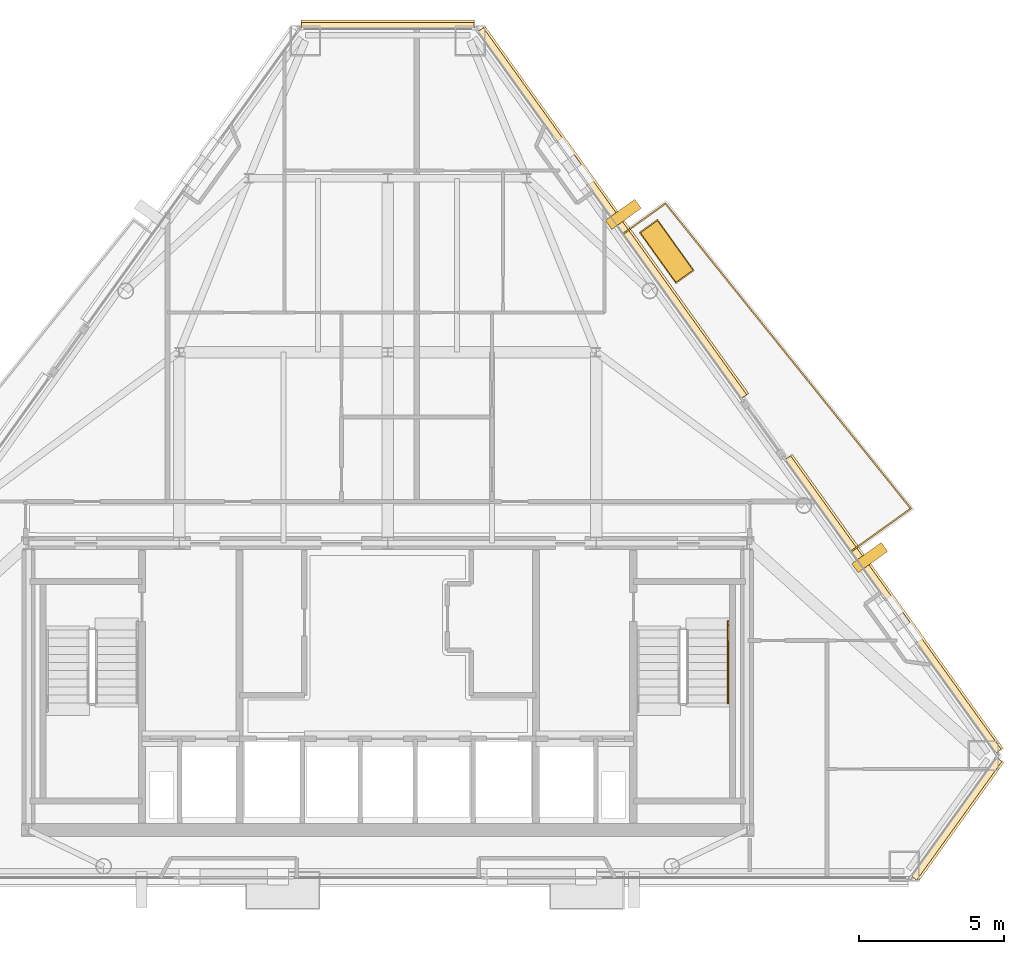
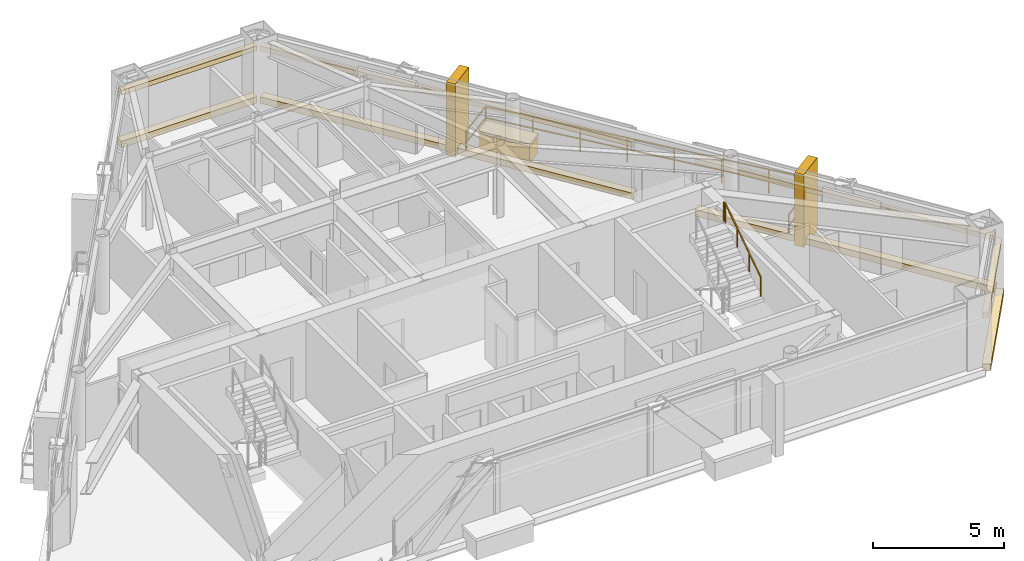
# One storey, part 11 of 11: 12 coverings, 2 railings.
"""IFC4 building model written with IfcOpenShell, lengths in metres."""

from ifc_helpers import new_model, si_unit, direction, frame, origin, origin_2d, place, context, subcontext, project, spatial, rectangle, extrude, material, layer, layer_set, type_object, element, save


model = new_model("IFC4")

# Units and contexts
model_context = context("Model", 3, precision=1e-05, world=origin(), true_north=direction((0.0, 1.0)))
body_context = subcontext(model_context, "Body", "Model", "MODEL_VIEW")
ifc_project = project(units=[si_unit("LENGTHUNIT", "METRE"), si_unit("AREAUNIT", "SQUARE_METRE"), si_unit("VOLUMEUNIT", "CUBIC_METRE"), si_unit("PLANEANGLEUNIT", "RADIAN"), si_unit("MASSUNIT", "GRAM", prefix="KILO")], contexts=[model_context])

# Site, building, storey
site_placement = place(None, origin())
site = spatial("IfcSite", under=ifc_project, at=site_placement, CompositionType="ELEMENT")
building_placement = place(site_placement, origin())
building = spatial("IfcBuilding", under=site, at=building_placement, Name="Talgorran Terracotta Tower", CompositionType="ELEMENT")
storey_placement = place(building_placement, frame((0.0, 0.0, 218.10009765625)))
storey = spatial("IfcBuildingStorey", under=building, at=storey_placement, Name="L57", CompositionType="ELEMENT", Elevation=218.10009765625)

# Coverings
ifc_material_1 = material(Name="Kiln-Fired Terracotta Ochre Ceramic", Category="masonry")
ifc_layer_1 = layer(ifc_material_1, 0.179931640625, Name="COV_BAGUETTE_TERRACOTTA_SCREEN")
ifc_layer_set_1 = layer_set([ifc_layer_1], Name="Kiln-Fired Terracotta Ochre Ceramic")
covering_type_1 = type_object("IfcCoveringType", Name="COV_BAGUETTE_TERRACOTTA_SCREEN", PredefinedType="CLADDING", material=ifc_layer_set_1)
covering_1_placement = place(storey_placement, frame((19.62841796875, -13.7041015625, 2.41015625), z_axis=(0.0, 0.0, 1.0), x_axis=(0.583115925445, 0.812388957023, 0.0)))
element("IfcCovering", 1, at=covering_1_placement, inside=storey, type_object=covering_type_1, Name="L57 Terracotta Baguette Solar Screen Assembly F2", PredefinedType="CLADDING", context=body_context, shape_type="SweptSolid", body=[
    extrude(rectangle(XDim=5.04541015625, YDim=0.260009765625, at=origin_2d()), origin(), (0.0, 0.0, 1.0), 0.219970703125),
])
covering_2_placement = place(storey_placement, frame((17.439453125, -6.3251953125, 2.41015625), z_axis=(0.0, 0.0, 1.0), x_axis=(-0.583115925445, 0.812388957023, 0.0)))
element("IfcCovering", 2, at=covering_2_placement, inside=storey, type_object=covering_type_1, Name="L57 Terracotta Baguette Solar Screen Assembly F40", PredefinedType="CLADDING", context=body_context, shape_type="SweptSolid", body=[
    extrude(rectangle(XDim=12.473388671875, YDim=0.260009765625, at=origin_2d()), origin(), (0.0, 0.0, 1.0), 0.219970703125),
])
covering_3_placement = place(storey_placement, frame((7.740234375, 7.187744140625, 2.41015625), z_axis=(0.0, 0.0, 1.0), x_axis=(-0.583115925445, 0.812388957023, 0.0)))
element("IfcCovering", 3, at=covering_3_placement, inside=storey, type_object=covering_type_1, Name="L57 Terracotta Baguette Solar Screen Assembly F41", PredefinedType="CLADDING", context=body_context, shape_type="SweptSolid", body=[
    extrude(rectangle(XDim=15.593994140625, YDim=0.260009765625, at=origin_2d()), origin(), (0.0, 0.0, 1.0), 0.219970703125),
])
covering_4_placement = place(storey_placement, frame((0.0, 13.653076171875, 2.41015625), z_axis=(0.0, 0.0, 1.0), x_axis=(-1.0, 0.0, 0.0)))
element("IfcCovering", 4, at=covering_4_placement, inside=storey, type_object=covering_type_1, Name="L57 Terracotta Baguette Solar Screen Assembly F4", PredefinedType="CLADDING", context=body_context, shape_type="SweptSolid", body=[
    extrude(rectangle(XDim=5.95654296875, YDim=0.260009765625, at=origin_2d()), origin(), (0.0, 0.0, 1.0), 0.219970703125),
])
ifc_material_2 = material(Name="Honed Limestone and Terracotta Planter", Category="masonry")
ifc_layer_2 = layer(ifc_material_2, 0.1201171875, Name="COV_PLANTER_BOX")
ifc_layer_set_2 = layer_set([ifc_layer_2], Name="Honed Limestone and Terracotta Planter")
covering_type_2 = type_object("IfcCoveringType", Name="COV_PLANTER_BOX", PredefinedType="CLADDING", material=ifc_layer_set_2)
covering_5_placement = place(storey_placement, frame((9.6318359375, 5.872802734375, -0.02001953125), z_axis=(0.0, 0.0, 1.0), x_axis=(-0.583115925445, 0.812388957023, 0.0)))
element("IfcCovering", 5, at=covering_5_placement, inside=storey, type_object=covering_type_2, Name="L57 Staggered Balcony Planter Box BAL-NE", PredefinedType="CLADDING", context=body_context, shape_type="SweptSolid", body=[
    extrude(rectangle(XDim=2.10009765625, YDim=0.719970703125, at=origin_2d()), origin(), (0.0, 0.0, 1.0), 0.860107421875),
])
ifc_material_3 = material(Name="Kiln-Fired Terracotta Planter Rim", Category="masonry")
ifc_layer_3 = layer(ifc_material_3, 0.10009765625, Name="COV_PLANTER_RIM")
ifc_layer_set_3 = layer_set([ifc_layer_3], Name="Kiln-Fired Terracotta Planter Rim")
covering_type_3 = type_object("IfcCoveringType", Name="COV_PLANTER_RIM", PredefinedType="CLADDING", material=ifc_layer_set_3)
covering_6_placement = place(storey_placement, frame((9.6318359375, 5.872802734375, 0.7998046875), z_axis=(0.0, 0.0, 1.0), x_axis=(-0.583115925445, 0.812388957023, 0.0)))
element("IfcCovering", 6, at=covering_6_placement, inside=storey, type_object=covering_type_3, Name="L57 Balcony Planter Terracotta Rim BAL-NE", PredefinedType="CLADDING", context=body_context, shape_type="SweptSolid", body=[
    extrude(rectangle(XDim=2.179931640625, YDim=0.780029296875, at=origin_2d()), origin(), (0.0, 0.0, 1.0), 0.1201171875),
])
ifc_material_4 = material(Name="Honed Limestone Cladding", Category="masonry")
ifc_layer_4 = layer(ifc_material_4, 0.094970703125, Name="COV_PORTAL_LIME")
ifc_layer_set_4 = layer_set([ifc_layer_4], Name="Honed Limestone Cladding")
covering_type_4 = type_object("IfcCoveringType", Name="COV_PORTAL_LIME", PredefinedType="CLADDING", material=ifc_layer_set_4)
covering_7_placement = place(storey_placement, frame((16.638671875, -4.695068359375, -0.050048828125), z_axis=(0.0, 0.0, 1.0), x_axis=(-0.583115925445, 0.812388957023, 0.0)))
element("IfcCovering", 7, at=covering_7_placement, inside=storey, type_object=covering_type_4, Name="L57 White Striped Portal Fin F3-1", PredefinedType="CLADDING", context=body_context, shape_type="SweptSolid", body=[
    extrude(rectangle(XDim=0.3798828125, YDim=1.25, at=origin_2d()), origin(), (0.0, 0.0, 1.0), 3.39501953125),
])
ifc_material_5 = material(Name="Kiln-Fired Terracotta Cladding", Category="masonry")
ifc_layer_5 = layer(ifc_material_5, 0.090087890625, Name="COV_PORTAL_TERRA")
ifc_layer_set_5 = layer_set([ifc_layer_5], Name="Kiln-Fired Terracotta Cladding")
covering_type_5 = type_object("IfcCoveringType", Name="COV_PORTAL_TERRA", PredefinedType="CLADDING", material=ifc_layer_set_5)
covering_8_placement = place(storey_placement, frame((19.660888671875, -13.7275390625, -0.0400390625), z_axis=(0.0, 0.0, 1.0), x_axis=(0.583115925445, 0.812388957023, 0.0)))
element("IfcCovering", 8, at=covering_8_placement, inside=storey, type_object=covering_type_5, Name="L57 Striped Postmodern Portal Cladding Band F2", PredefinedType="CLADDING", context=body_context, shape_type="SweptSolid", body=[
    extrude(rectangle(XDim=5.0654296875, YDim=0.340087890625, at=origin_2d()), origin(), (0.0, 0.0, 1.0), 0.300048828125),
])
covering_9_placement = place(storey_placement, frame((17.471923828125, -6.302001953125, -0.0400390625), z_axis=(0.0, 0.0, 1.0), x_axis=(-0.583115925445, 0.812388957023, 0.0)))
element("IfcCovering", 9, at=covering_9_placement, inside=storey, type_object=covering_type_5, Name="L57 Striped Postmodern Portal Cladding Band F40", PredefinedType="CLADDING", context=body_context, shape_type="SweptSolid", body=[
    extrude(rectangle(XDim=12.493408203125, YDim=0.340087890625, at=origin_2d()), origin(), (0.0, 0.0, 1.0), 0.300048828125),
])
covering_10_placement = place(storey_placement, frame((7.772705078125, 7.2109375, -0.0400390625), z_axis=(0.0, 0.0, 1.0), x_axis=(-0.583115925445, 0.812388957023, 0.0)))
element("IfcCovering", 10, at=covering_10_placement, inside=storey, type_object=covering_type_5, Name="L57 Striped Postmodern Portal Cladding Band F41", PredefinedType="CLADDING", context=body_context, shape_type="SweptSolid", body=[
    extrude(rectangle(XDim=15.614013671875, YDim=0.340087890625, at=origin_2d()), origin(), (0.0, 0.0, 1.0), 0.300048828125),
])
covering_11_placement = place(storey_placement, frame((0.0, 13.693115234375, -0.0400390625), z_axis=(0.0, 0.0, 1.0), x_axis=(-1.0, 0.0, 0.0)))
element("IfcCovering", 11, at=covering_11_placement, inside=storey, type_object=covering_type_5, Name="L57 Striped Postmodern Portal Cladding Band F4", PredefinedType="CLADDING", context=body_context, shape_type="SweptSolid", body=[
    extrude(rectangle(XDim=5.9765625, YDim=0.340087890625, at=origin_2d()), origin(), (0.0, 0.0, 1.0), 0.300048828125),
])
covering_12_placement = place(storey_placement, frame((8.133056640625, 7.15478515625, -0.050048828125), z_axis=(0.0, 0.0, 1.0), x_axis=(-0.583115925445, 0.812388957023, 0.0)))
element("IfcCovering", 12, at=covering_12_placement, inside=storey, type_object=covering_type_5, Name="L57 Terracotta Striped Portal Fin F3-2", PredefinedType="CLADDING", context=body_context, shape_type="SweptSolid", body=[
    extrude(rectangle(XDim=0.3798828125, YDim=1.25, at=origin_2d()), origin(), (0.0, 0.0, 1.0), 3.39501953125),
])

# Railings
ifc_material_6 = material(Name="Laminated Glass and Stainless Steel 316", Category="steel")
railing_type_1 = type_object("IfcRailingType", Name="RL_BALCONY_1150", PredefinedType="BALUSTRADE", material=ifc_material_6)
railing_1_placement = place(storey_placement, frame((16.01171875, -4.473388671875, 0.0)))
element("IfcRailing", 13, at=railing_1_placement, inside=storey, type_object=railing_type_1, Name="RL-L57-BAL-BAL-NE", PredefinedType="BALUSTRADE", context=body_context, shape_type="SweptSolid", body=[
    extrude(rectangle(XDim=0.048095703125, YDim=0.048095703125, at=origin_2d()), frame((0.0, 0.0, 1.1259765625), z_axis=(0.812396653671, 0.583105202432, 0.0), x_axis=(-0.583105202432, 0.812396653671, 0.0)), (0.0, 0.0, 1.0), 2.521240234375),
    extrude(rectangle(XDim=0.048095703125, YDim=0.048095703125, at=origin_2d()), frame((0.0, 0.0, 0.597900390625), z_axis=(0.812396653671, 0.583105202432, 0.0), x_axis=(-0.583105202432, 0.812396653671, 0.0)), (0.0, 0.0, 1.0), 2.521240234375),
    extrude(rectangle(XDim=0.048095703125, YDim=0.048095703125, at=origin_2d()), frame((2.04833984375, 1.47021484375, 1.1259765625), z_axis=(-0.626748153954, 0.779221888499, 0.0), x_axis=(-0.779221888499, -0.626748153954, 0.0)), (0.0, 0.0, 1.0), 13.515625),
    extrude(rectangle(XDim=0.048095703125, YDim=0.048095703125, at=origin_2d()), frame((2.04833984375, 1.47021484375, 0.597900390625), z_axis=(-0.626748153954, 0.779221888499, 0.0), x_axis=(-0.779221888499, -0.626748153954, 0.0)), (0.0, 0.0, 1.0), 13.515625),
    extrude(rectangle(XDim=0.048095703125, YDim=0.048095703125, at=origin_2d()), frame((-6.422607421875, 12.001953125, 1.1259765625), z_axis=(-0.812425308408, -0.58306527787, 0.0), x_axis=(0.58306527787, -0.812425308408, 0.0)), (0.0, 0.0, 1.0), 1.78076171875),
    extrude(rectangle(XDim=0.048095703125, YDim=0.048095703125, at=origin_2d()), frame((-6.422607421875, 12.001953125, 0.597900390625), z_axis=(-0.812425308408, -0.58306527787, 0.0), x_axis=(0.58306527787, -0.812425308408, 0.0)), (0.0, 0.0, 1.0), 1.78076171875),
    extrude(rectangle(XDim=0.0419921875, YDim=0.0419921875, at=origin_2d()), origin(), (0.0, 0.0, 1.0), 1.101806640625),
    extrude(rectangle(XDim=0.0419921875, YDim=0.0419921875, at=origin_2d()), frame((1.024169921875, 0.735107421875, 0.0)), (0.0, 0.0, 1.0), 1.101806640625),
    extrude(rectangle(XDim=0.0419921875, YDim=0.0419921875, at=origin_2d()), frame((2.04833984375, 1.47021484375, 0.0)), (0.0, 0.0, 1.0), 1.101806640625),
    extrude(rectangle(XDim=0.0419921875, YDim=0.0419921875, at=origin_2d()), frame((0.838134765625, 2.974853515625, 0.0)), (0.0, 0.0, 1.0), 1.101806640625),
    extrude(rectangle(XDim=0.0419921875, YDim=0.0419921875, at=origin_2d()), frame((-0.371826171875, 4.479248046875, 0.0)), (0.0, 0.0, 1.0), 1.101806640625),
    extrude(rectangle(XDim=0.0419921875, YDim=0.0419921875, at=origin_2d()), frame((-1.58203125, 5.98388671875, 0.0)), (0.0, 0.0, 1.0), 1.101806640625),
    extrude(rectangle(XDim=0.0419921875, YDim=0.0419921875, at=origin_2d()), frame((-2.792236328125, 7.48828125, 0.0)), (0.0, 0.0, 1.0), 1.101806640625),
    extrude(rectangle(XDim=0.0419921875, YDim=0.0419921875, at=origin_2d()), frame((-4.00244140625, 8.992919921875, 0.0)), (0.0, 0.0, 1.0), 1.101806640625),
    extrude(rectangle(XDim=0.0419921875, YDim=0.0419921875, at=origin_2d()), frame((-5.21240234375, 10.497314453125, 0.0)), (0.0, 0.0, 1.0), 1.101806640625),
    extrude(rectangle(XDim=0.0419921875, YDim=0.0419921875, at=origin_2d()), frame((-6.422607421875, 12.001953125, 0.0)), (0.0, 0.0, 1.0), 1.101806640625),
    extrude(rectangle(XDim=0.0419921875, YDim=0.0419921875, at=origin_2d()), frame((-7.869384765625, 10.963623046875, 0.0)), (0.0, 0.0, 1.0), 1.101806640625),
])
ifc_material_7 = material(Name="Steel S355 (300PLUS)", Category="steel")
railing_type_2 = type_object("IfcRailingType", Name="RL_HANDRAIL_920", PredefinedType="HANDRAIL", material=ifc_material_7)
railing_2_placement = place(storey_placement, frame((11.75, -9.719970703125, 1.97998046875)))
element("IfcRailing", 14, at=railing_2_placement, inside=storey, type_object=railing_type_2, Name="L57 ST-02 stair handrail 2", PredefinedType="HANDRAIL", context=body_context, shape_type="SweptSolid", body=[
    extrude(rectangle(XDim=0.048095703125, YDim=0.048095703125, at=origin_2d()), frame((0.0, 0.0, 0.89599609375), z_axis=(0.0, 0.832073444223, 0.554665469827), x_axis=(-1.0, 0.0, 0.0)), (0.0, 0.0, 1.0), 3.244873046875),
    extrude(rectangle(XDim=0.048095703125, YDim=0.048095703125, at=origin_2d()), frame((0.0, 2.699951171875, 2.69580078125), z_axis=(0.0, 1.0, 0.0), x_axis=(-1.0, 0.0, 0.0)), (0.0, 0.0, 1.0), 0.1201171875),
    extrude(rectangle(XDim=0.0419921875, YDim=0.0419921875, at=origin_2d()), origin(), (0.0, 0.0, 1.0), 0.871826171875),
    extrude(rectangle(XDim=0.0419921875, YDim=0.0419921875, at=origin_2d()), frame((0.0, 0.89990234375, 0.599853515625)), (0.0, 0.0, 1.0), 0.871826171875),
    extrude(rectangle(XDim=0.0419921875, YDim=0.0419921875, at=origin_2d()), frame((0.0, 1.800048828125, 1.199951171875)), (0.0, 0.0, 1.0), 0.871826171875),
    extrude(rectangle(XDim=0.0419921875, YDim=0.0419921875, at=origin_2d()), frame((0.0, 2.699951171875, 1.7998046875)), (0.0, 0.0, 1.0), 0.871826171875),
    extrude(rectangle(XDim=0.0419921875, YDim=0.0419921875, at=origin_2d()), frame((0.0, 2.820068359375, 1.7998046875)), (0.0, 0.0, 1.0), 0.871826171875),
])

save(model, "model.ifc")
